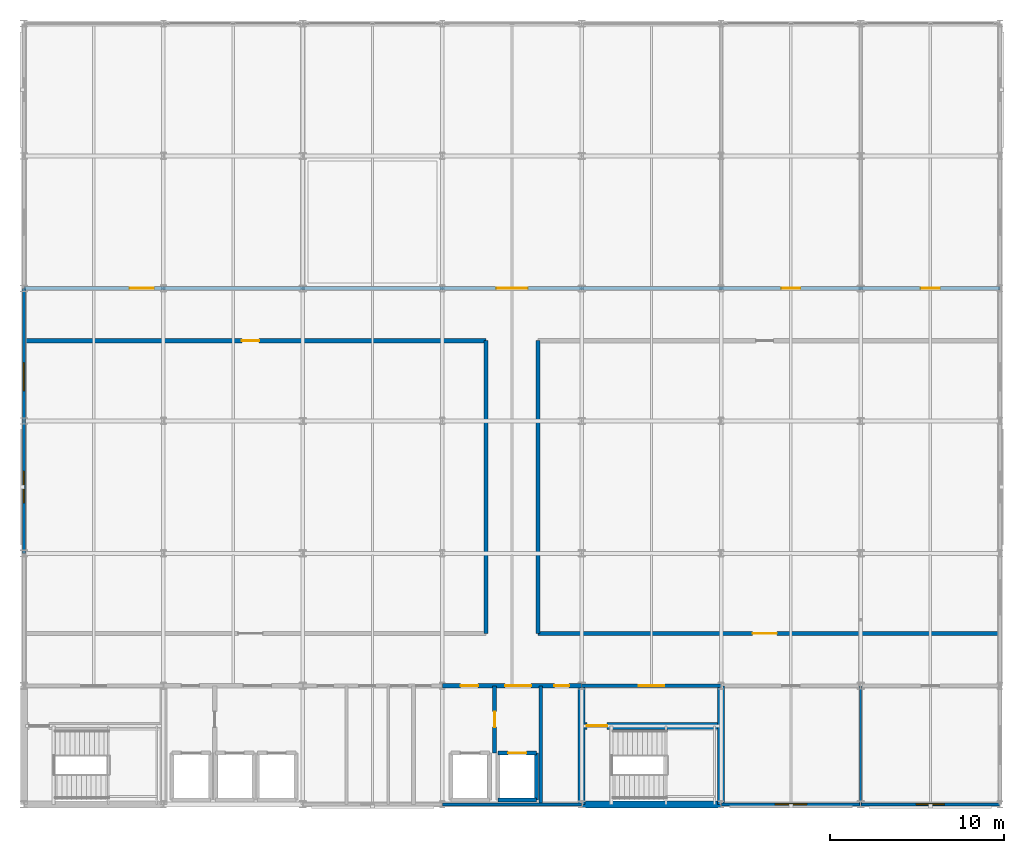
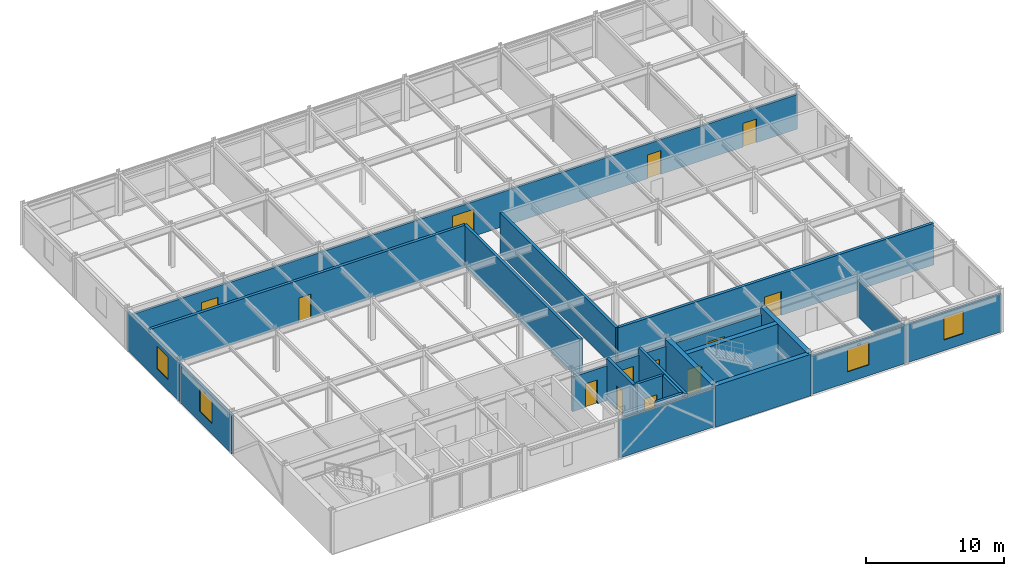
# One storey, part 12 of 14: 22 walls, 13 doors, 4 windows, 17 openings.
"""IFC4 building model written with IfcOpenShell, lengths in metres."""

from ifc_helpers import new_model, si_unit, direction, frame, frame_2d, origin, place, context, subcontext, project, spatial, rectangle, extrude, material, layer, layer_set, type_object, element, fill, save


model = new_model("IFC4")

# Units and contexts
model_context = context("Model", 3, precision=1e-05, world=origin(), true_north=direction((0.0, 1.0)))
body_context = subcontext(model_context, "Body", "Model", "MODEL_VIEW")
ifc_project = project(units=[si_unit("LENGTHUNIT", "METRE"), si_unit("AREAUNIT", "SQUARE_METRE"), si_unit("VOLUMEUNIT", "CUBIC_METRE"), si_unit("PLANEANGLEUNIT", "RADIAN"), si_unit("MASSUNIT", "GRAM", prefix="KILO")], contexts=[model_context])

# Site, building, storey
site_placement = place(None, origin())
site = spatial("IfcSite", under=ifc_project, at=site_placement, CompositionType="ELEMENT")
building_placement = place(site_placement, origin())
building = spatial("IfcBuilding", under=site, at=building_placement, Name="Shalkamar Park Central Library", CompositionType="ELEMENT")
storey_placement = place(building_placement, frame((0.0, 0.0, 32.10009765625)))
storey = spatial("IfcBuildingStorey", under=building, at=storey_placement, Name="L08", CompositionType="ELEMENT", Elevation=32.10009765625)

# Wall, opening, door
ifc_material_1 = material(Name="Reinforced fire-compartment masonry wall", Category="masonry")
ifc_layer_1 = layer(ifc_material_1, 0.239990234375)
ifc_layer_set_1 = layer_set([ifc_layer_1], Name="CompartmentWall_240")
wall_type_1 = type_object("IfcWallType", Name="Compartment Wall 240", PredefinedType="PARTITIONING", material=ifc_layer_set_1)
wall_1_placement = place(storey_placement, frame((192.0, 251.35009765625, 0.0), z_axis=(0.0, 0.0, 1.0), x_axis=(0.0, 1.0, 0.0)))
wall_1 = element("IfcWall", 1, at=wall_1_placement, inside=storey, type_object=wall_type_1, Name="Interior Partition WL-INT-L08-002", PredefinedType="PARTITIONING", context=body_context, shape_type="SweptSolid", body=[
    extrude(rectangle(XDim=3.849853515625, YDim=0.239990234375, at=frame_2d((1.9248046875, 0.0))), origin(), (0.0, 0.0, 1.0), 3.679931640625),
])
opening_1_placement = place(wall_1_placement, frame((1.47509765625, 0.0, 0.0)))
opening_1 = element("IfcOpeningElement", 2, at=opening_1_placement, cuts=wall_1, Name="Opening DR-L08-002", PredefinedType="OPENING", context=body_context, shape_type="SweptSolid", body=[
    extrude(rectangle(XDim=0.89990234375, YDim=2.10009765625, at=frame_2d((0.449951171875, 1.050048828125))), frame((0.0, 0.134765625, 0.0), z_axis=(0.0, -1.0, 0.0), x_axis=(1.0, 0.0, 0.0)), (0.0, 0.0, 1.0), 0.269775390625),
])
ifc_material_2 = material(Name="Steel S355", Category="steel")
door_type_1 = type_object("IfcDoorType", Name="Fire Door Single 900x2100", OperationType="NOTDEFINED", PredefinedType="DOOR", material=ifc_material_2)
door_1_placement = place(opening_1_placement, origin())
door_1 = element("IfcDoor", 3, at=door_1_placement, inside=storey, type_object=door_type_1, Name="Fire Lobby Interconnect Door", OperationType="SINGLE_SWING_LEFT", OverallHeight=2.10009765625, OverallWidth=0.89990234375, PredefinedType="DOOR", context=body_context, shape_type="SweptSolid", body=[
    extrude(rectangle(XDim=0.89990234375, YDim=2.10009765625, at=frame_2d((0.449951171875, 1.050048828125))), frame((0.0, 0.02490234375, 0.0), z_axis=(0.0, -1.0, 0.0), x_axis=(1.0, 0.0, 0.0)), (0.0, 0.0, 1.0), 0.050048828125),
])
fill(opening_1, door_1)

# Wall, openings, doors
wall_2_placement = place(storey_placement, frame((189.0, 255.199951171875, 0.0), z_axis=(0.0, 0.0, 1.0), x_axis=(1.0, 0.0, 0.0)))
wall_2 = element("IfcWall", 4, at=wall_2_placement, inside=storey, type_object=wall_type_1, Name="Interior Partition WL-INT-L08-009", PredefinedType="PARTITIONING", context=body_context, shape_type="SweptSolid", body=[
    extrude(rectangle(XDim=8.0, YDim=0.239990234375, at=frame_2d((4.0, 0.0))), origin(), (0.0, 0.0, 1.0), 3.077880859375),
])
opening_2_placement = place(wall_2_placement, frame((1.050048828125, 0.0, 0.0)))
opening_2 = element("IfcOpeningElement", 5, at=opening_2_placement, cuts=wall_2, Name="Opening DR-L08-009", PredefinedType="OPENING", context=body_context, shape_type="SweptSolid", body=[
    extrude(rectangle(XDim=1.0, YDim=2.10009765625, at=frame_2d((0.5, 1.050048828125))), frame((0.0, 0.134765625, 0.0), z_axis=(0.0, -1.0, 0.0), x_axis=(1.0, 0.0, 0.0)), (0.0, 0.0, 1.0), 0.269775390625),
])
opening_3_placement = place(wall_2_placement, frame((3.60009765625, 0.0, 0.0)))
opening_3 = element("IfcOpeningElement", 6, at=opening_3_placement, cuts=wall_2, Name="Opening DR-L08-010", PredefinedType="OPENING", context=body_context, shape_type="SweptSolid", body=[
    extrude(rectangle(XDim=1.5, YDim=2.25, at=frame_2d((0.75, 1.125))), frame((0.0, 0.134765625, 0.0), z_axis=(0.0, -1.0, 0.0), x_axis=(1.0, 0.0, 0.0)), (0.0, 0.0, 1.0), 0.269775390625),
])
opening_4_placement = place(wall_2_placement, frame((6.425048828125, 0.0, 0.0)))
opening_4 = element("IfcOpeningElement", 7, at=opening_4_placement, cuts=wall_2, Name="Opening DR-L08-011", PredefinedType="OPENING", context=body_context, shape_type="SweptSolid", body=[
    extrude(rectangle(XDim=0.85009765625, YDim=2.10009765625, at=frame_2d((0.425048828125, 1.050048828125))), frame((0.0, 0.134765625, 0.0), z_axis=(0.0, -1.0, 0.0), x_axis=(1.0, 0.0, 0.0)), (0.0, 0.0, 1.0), 0.269775390625),
])
door_type_2 = type_object("IfcDoorType", Name="Fire Door Riser 850x2100", OperationType="NOTDEFINED", PredefinedType="DOOR", material=ifc_material_2)
door_2_placement = place(opening_4_placement, frame((0.85009765625, 0.0, 0.0), z_axis=(0.0, 0.0, 1.0), x_axis=(-1.0, 0.0, 0.0)))
door_2 = element("IfcDoor", 8, at=door_2_placement, inside=storey, type_object=door_type_2, Name="Mechanical Riser Access Door", OperationType="SINGLE_SWING_LEFT", OverallHeight=2.10009765625, OverallWidth=0.85009765625, PredefinedType="DOOR", context=body_context, shape_type="SweptSolid", body=[
    extrude(rectangle(XDim=0.85009765625, YDim=2.10009765625, at=frame_2d((0.425048828125, 1.050048828125))), frame((0.0, 0.02490234375, 0.0), z_axis=(0.0, -1.0, 0.0), x_axis=(1.0, 0.0, 0.0)), (0.0, 0.0, 1.0), 0.050048828125),
])
fill(opening_4, door_2)
door_type_3 = type_object("IfcDoorType", Name="Fire Door Single 1000x2100", OperationType="NOTDEFINED", PredefinedType="DOOR", material=ifc_material_2)
door_3_placement = place(opening_2_placement, frame((1.0, 0.0, 0.0), z_axis=(0.0, 0.0, 1.0), x_axis=(-1.0, 0.0, 0.0)))
door_3 = element("IfcDoor", 9, at=door_3_placement, inside=storey, type_object=door_type_3, Name="East Firefighting Lobby Door", OperationType="SINGLE_SWING_RIGHT", OverallHeight=2.10009765625, OverallWidth=1.0, PredefinedType="DOOR", context=body_context, shape_type="SweptSolid", body=[
    extrude(rectangle(XDim=1.0, YDim=2.10009765625, at=frame_2d((0.5, 1.050048828125))), frame((0.0, 0.02490234375, 0.0), z_axis=(0.0, -1.0, 0.0), x_axis=(1.0, 0.0, 0.0)), (0.0, 0.0, 1.0), 0.050048828125),
])
fill(opening_2, door_3)
door_type_4 = type_object("IfcDoorType", Name="Interior Door Double 1500x2250", OperationType="DOUBLE_DOOR_SINGLE_SWING", PredefinedType="DOOR", material=ifc_material_2)
door_4_placement = place(opening_3_placement, frame((1.5, 0.0, 0.0), z_axis=(0.0, 0.0, 1.0), x_axis=(-1.0, 0.0, 0.0)))
door_4 = element("IfcDoor", 10, at=door_4_placement, inside=storey, type_object=door_type_4, Name="East Lift Lobby Entrance", OperationType="DOUBLE_DOOR_SINGLE_SWING", OverallHeight=2.25, OverallWidth=1.5, PredefinedType="DOOR", context=body_context, shape_type="SweptSolid", body=[
    extrude(rectangle(XDim=1.5, YDim=2.25, at=frame_2d((0.75, 1.125))), frame((0.0, 0.02490234375, 0.0), z_axis=(0.0, -1.0, 0.0), x_axis=(1.0, 0.0, 0.0)), (0.0, 0.0, 1.0), 0.050048828125),
])
fill(opening_3, door_4)

# Wall, opening, door
wall_3_placement = place(storey_placement, frame((194.5, 258.199951171875, 0.0), z_axis=(0.0, 0.0, 1.0), x_axis=(1.0, 0.0, 0.0)))
wall_3 = element("IfcWall", 11, at=wall_3_placement, inside=storey, type_object=wall_type_1, Name="Interior Partition WL-INT-L08-013", PredefinedType="PARTITIONING", context=body_context, shape_type="SweptSolid", body=[
    extrude(rectangle(XDim=26.5, YDim=0.239990234375, at=frame_2d((13.25, 0.0))), origin(), (0.0, 0.0, 1.0), 3.679931640625),
])
opening_5_placement = place(wall_3_placement, frame((12.300048828125, 0.0, 0.0)))
opening_5 = element("IfcOpeningElement", 12, at=opening_5_placement, cuts=wall_3, Name="Opening DR-L08-015", PredefinedType="OPENING", context=body_context, shape_type="SweptSolid", body=[
    extrude(rectangle(XDim=1.39990234375, YDim=2.10009765625, at=frame_2d((0.699951171875, 1.050048828125))), frame((0.0, 0.134765625, 0.0), z_axis=(0.0, -1.0, 0.0), x_axis=(1.0, 0.0, 0.0)), (0.0, 0.0, 1.0), 0.269775390625),
])
door_type_5 = type_object("IfcDoorType", Name="Fire Door Double 1400x2100", OperationType="DOUBLE_DOOR_SINGLE_SWING", PredefinedType="DOOR", material=ifc_material_2)
door_5_placement = place(opening_5_placement, origin())
door_5 = element("IfcDoor", 13, at=door_5_placement, inside=storey, type_object=door_type_5, Name="L08 SE Closed Stacks South Door", OperationType="DOUBLE_DOOR_SINGLE_SWING", OverallHeight=2.10009765625, OverallWidth=1.39990234375, PredefinedType="DOOR", context=body_context, shape_type="SweptSolid", body=[
    extrude(rectangle(XDim=1.39990234375, YDim=2.10009765625, at=frame_2d((0.699951171875, 1.050048828125))), frame((0.0, 0.02490234375, 0.0), z_axis=(0.0, -1.0, 0.0), x_axis=(1.0, 0.0, 0.0)), (0.0, 0.0, 1.0), 0.050048828125),
])
fill(opening_5, door_5)

# Walls
for number, where, z_axis, x_axis, name in (
    (14, (191.5, 258.199951171875, 0.0), (0.0, 0.0, 1.0), (0.0, 1.0, 0.0), "Interior Partition WL-INT-L08-014"),
    (15, (194.5, 258.199951171875, 0.0), (0.0, 0.0, 1.0), (0.0, 1.0, 0.0), "Interior Partition WL-INT-L08-015"),
):
    element("IfcWall", number, at=place(storey_placement, frame(where, z_axis=z_axis, x_axis=x_axis)), inside=storey, type_object=wall_type_1, Name=name, PredefinedType="PARTITIONING", context=body_context, shape_type="SweptSolid", body=[
        extrude(rectangle(XDim=16.800048828125, YDim=0.239990234375, at=frame_2d((8.39990234375, 0.0))), origin(), (0.0, 0.0, 1.0), 3.679931640625),
    ])

# Wall, opening, door
wall_4_placement = place(storey_placement, frame((165.0, 275.0, 0.0), z_axis=(0.0, 0.0, 1.0), x_axis=(1.0, 0.0, 0.0)))
wall_4 = element("IfcWall", 16, at=wall_4_placement, inside=storey, type_object=wall_type_1, Name="Interior Partition WL-INT-L08-016", PredefinedType="PARTITIONING", context=body_context, shape_type="SweptSolid", body=[
    extrude(rectangle(XDim=26.5, YDim=0.239990234375, at=frame_2d((13.25, 0.0))), origin(), (0.0, 0.0, 1.0), 3.679931640625),
])
opening_6_placement = place(wall_4_placement, frame((12.5, 0.0, 0.0)))
opening_6 = element("IfcOpeningElement", 17, at=opening_6_placement, cuts=wall_4, Name="Opening DR-L08-016", PredefinedType="OPENING", context=body_context, shape_type="SweptSolid", body=[
    extrude(rectangle(XDim=1.0, YDim=2.10009765625, at=frame_2d((0.5, 1.050048828125))), frame((0.0, 0.134765625, 0.0), z_axis=(0.0, -1.0, 0.0), x_axis=(1.0, 0.0, 0.0)), (0.0, 0.0, 1.0), 0.269775390625),
])
door_6_placement = place(opening_6_placement, frame((1.0, 0.0, 0.0), z_axis=(0.0, 0.0, 1.0), x_axis=(-1.0, 0.0, 0.0)))
door_6 = element("IfcDoor", 18, at=door_6_placement, inside=storey, type_object=door_type_3, Name="L08 SW Closed Stacks North Door", OperationType="SINGLE_SWING_RIGHT", OverallHeight=2.10009765625, OverallWidth=1.0, PredefinedType="DOOR", context=body_context, shape_type="SweptSolid", body=[
    extrude(rectangle(XDim=1.0, YDim=2.10009765625, at=frame_2d((0.5, 1.050048828125))), frame((0.0, 0.02490234375, 0.0), z_axis=(0.0, -1.0, 0.0), x_axis=(1.0, 0.0, 0.0)), (0.0, 0.0, 1.0), 0.050048828125),
])
fill(opening_6, door_6)

ifc_material_3 = material(Name="Fire-rated corridor partition wall", Category="masonry")
ifc_layer_2 = layer(ifc_material_3, 0.199951171875)
ifc_layer_set_2 = layer_set([ifc_layer_2], Name="CorridorFireWall_200")
wall_type_2 = type_object("IfcWallType", Name="Corridor Fire Wall 200", PredefinedType="PARTITIONING", material=ifc_layer_set_2)
wall_5_placement = place(storey_placement, frame((197.0, 255.199951171875, 0.0), z_axis=(0.0, 0.0, 1.0), x_axis=(1.0, 0.0, 0.0)))
wall_5 = element("IfcWall", 19, at=wall_5_placement, inside=storey, type_object=wall_type_2, Name="CORE-T2 Vestibule North Wall (L08)", PredefinedType="PARTITIONING", context=body_context, shape_type="SweptSolid", body=[
    extrude(rectangle(XDim=8.0, YDim=0.199951171875, at=frame_2d((4.0, 0.0))), origin(), (0.0, 0.0, 1.0), 3.077880859375),
])
opening_7_placement = place(wall_5_placement, frame((3.27490234375, 0.0, 0.0)))
opening_7 = element("IfcOpeningElement", 20, at=opening_7_placement, cuts=wall_5, Name="Opening DR-ST-T2-L08-VEST", PredefinedType="OPENING", context=body_context, shape_type="SweptSolid", body=[
    extrude(rectangle(XDim=1.449951171875, YDim=2.199951171875, at=frame_2d((0.72509765625, 1.10009765625))), frame((0.0, 0.11474609375, 0.0), z_axis=(0.0, -1.0, 0.0), x_axis=(1.0, 0.0, 0.0)), (0.0, 0.0, 1.0), 0.229736328125),
])
door_type_6 = type_object("IfcDoorType", Name="Stair Vestibule Door 1450x2200", OperationType="DOUBLE_DOOR_SINGLE_SWING", PredefinedType="DOOR", material=ifc_material_2)
door_7_placement = place(opening_7_placement, frame((1.449951171875, 0.0, 0.0), z_axis=(0.0, 0.0, 1.0), x_axis=(-1.0, 0.0, 0.0)))
door_7 = element("IfcDoor", 21, at=door_7_placement, inside=storey, type_object=door_type_6, Name="Protected Stair ST-T2 Vestibule Door (L08)", OperationType="DOUBLE_DOOR_SINGLE_SWING", OverallHeight=2.199951171875, OverallWidth=1.449951171875, PredefinedType="DOOR", context=body_context, shape_type="SweptSolid", body=[
    extrude(rectangle(XDim=1.449951171875, YDim=2.199951171875, at=frame_2d((0.72509765625, 1.10009765625))), frame((0.0, 0.02490234375, 0.0), z_axis=(0.0, -1.0, 0.0), x_axis=(1.0, 0.0, 0.0)), (0.0, 0.0, 1.0), 0.050048828125),
])
fill(opening_7, door_7)

# Wall, openings, doors
wall_6_placement = place(storey_placement, frame((165.0, 278.0, 0.0), z_axis=(0.0, 0.0, 1.0), x_axis=(1.0, 0.0, 0.0)))
wall_6 = element("IfcWall", 22, at=wall_6_placement, inside=storey, type_object=wall_type_2, Name="Interior Partition WL-INT-L08-018", PredefinedType="PARTITIONING", context=body_context, shape_type="SweptSolid", body=[
    extrude(rectangle(XDim=56.0, YDim=0.199951171875, at=frame_2d((28.0, 0.0))), origin(), (0.0, 0.0, 1.0), 3.077880859375),
])
opening_8_placement = place(wall_6_placement, frame((6.06005859375, 0.0, 0.0)))
opening_8 = element("IfcOpeningElement", 23, at=opening_8_placement, cuts=wall_6, Name="Opening DR-L08-018", PredefinedType="OPENING", context=body_context, shape_type="SweptSolid", body=[
    extrude(rectangle(XDim=1.39990234375, YDim=2.10009765625, at=frame_2d((0.699951171875, 1.050048828125))), frame((0.0, 0.11474609375, 0.0), z_axis=(0.0, -1.0, 0.0), x_axis=(1.0, 0.0, 0.0)), (0.0, 0.0, 1.0), 0.229736328125),
])
opening_9_placement = place(wall_6_placement, frame((27.10009765625, 0.0, 0.0)))
opening_9 = element("IfcOpeningElement", 24, at=opening_9_placement, cuts=wall_6, Name="Opening DR-L08-019", PredefinedType="OPENING", context=body_context, shape_type="SweptSolid", body=[
    extrude(rectangle(XDim=1.800048828125, YDim=2.39990234375, at=frame_2d((0.89990234375, 1.199951171875))), frame((0.0, 0.11474609375, 0.0), z_axis=(0.0, -1.0, 0.0), x_axis=(1.0, 0.0, 0.0)), (0.0, 0.0, 1.0), 0.229736328125),
])
opening_10_placement = place(wall_6_placement, frame((43.449951171875, 0.0, 0.0)))
opening_10 = element("IfcOpeningElement", 25, at=opening_10_placement, cuts=wall_6, Name="Opening DR-L08-020", PredefinedType="OPENING", context=body_context, shape_type="SweptSolid", body=[
    extrude(rectangle(XDim=1.10009765625, YDim=2.10009765625, at=frame_2d((0.550048828125, 1.050048828125))), frame((0.0, 0.11474609375, 0.0), z_axis=(0.0, -1.0, 0.0), x_axis=(1.0, 0.0, 0.0)), (0.0, 0.0, 1.0), 0.229736328125),
])
opening_11_placement = place(wall_6_placement, frame((51.449951171875, 0.0, 0.0)))
opening_11 = element("IfcOpeningElement", 26, at=opening_11_placement, cuts=wall_6, Name="Opening DR-L08-021", PredefinedType="OPENING", context=body_context, shape_type="SweptSolid", body=[
    extrude(rectangle(XDim=1.10009765625, YDim=2.10009765625, at=frame_2d((0.550048828125, 1.050048828125))), frame((0.0, 0.11474609375, 0.0), z_axis=(0.0, -1.0, 0.0), x_axis=(1.0, 0.0, 0.0)), (0.0, 0.0, 1.0), 0.229736328125),
])
door_8_placement = place(opening_8_placement, origin())
door_8 = element("IfcDoor", 27, at=door_8_placement, inside=storey, type_object=door_type_5, Name="L08 NW Closed Stacks Door", OperationType="DOUBLE_DOOR_SINGLE_SWING", OverallHeight=2.10009765625, OverallWidth=1.39990234375, PredefinedType="DOOR", context=body_context, shape_type="SweptSolid", body=[
    extrude(rectangle(XDim=1.39990234375, YDim=2.10009765625, at=frame_2d((0.699951171875, 1.050048828125))), frame((0.0, 0.02490234375, 0.0), z_axis=(0.0, -1.0, 0.0), x_axis=(1.0, 0.0, 0.0)), (0.0, 0.0, 1.0), 0.050048828125),
])
fill(opening_8, door_8)
door_type_7 = type_object("IfcDoorType", Name="Interior Door Double 1800x2400", OperationType="DOUBLE_DOOR_SINGLE_SWING", PredefinedType="DOOR", material=ifc_material_2)
door_9_placement = place(opening_9_placement, origin())
door_9 = element("IfcDoor", 28, at=door_9_placement, inside=storey, type_object=door_type_7, Name="L08 Researcher Reading Room Door", OperationType="DOUBLE_DOOR_SINGLE_SWING", OverallHeight=2.39990234375, OverallWidth=1.800048828125, PredefinedType="DOOR", context=body_context, shape_type="SweptSolid", body=[
    extrude(rectangle(XDim=1.800048828125, YDim=2.39990234375, at=frame_2d((0.89990234375, 1.199951171875))), frame((0.0, 0.02490234375, 0.0), z_axis=(0.0, -1.0, 0.0), x_axis=(1.0, 0.0, 0.0)), (0.0, 0.0, 1.0), 0.050048828125),
])
fill(opening_9, door_9)
door_type_8 = type_object("IfcDoorType", Name="Interior Door Single 1100x2100", OperationType="NOTDEFINED", PredefinedType="DOOR", material=ifc_material_2)
door_10_placement = place(opening_10_placement, origin())
door_10 = element("IfcDoor", 29, at=door_10_placement, inside=storey, type_object=door_type_8, Name="L08 Seminar Suite A Door", OperationType="SINGLE_SWING_RIGHT", OverallHeight=2.10009765625, OverallWidth=1.10009765625, PredefinedType="DOOR", context=body_context, shape_type="SweptSolid", body=[
    extrude(rectangle(XDim=1.10009765625, YDim=2.10009765625, at=frame_2d((0.550048828125, 1.050048828125))), frame((0.0, 0.02490234375, 0.0), z_axis=(0.0, -1.0, 0.0), x_axis=(1.0, 0.0, 0.0)), (0.0, 0.0, 1.0), 0.050048828125),
])
fill(opening_10, door_10)
door_11_placement = place(opening_11_placement, origin())
door_11 = element("IfcDoor", 30, at=door_11_placement, inside=storey, type_object=door_type_8, Name="L08 Seminar Suite B Door", OperationType="SINGLE_SWING_RIGHT", OverallHeight=2.10009765625, OverallWidth=1.10009765625, PredefinedType="DOOR", context=body_context, shape_type="SweptSolid", body=[
    extrude(rectangle(XDim=1.10009765625, YDim=2.10009765625, at=frame_2d((0.550048828125, 1.050048828125))), frame((0.0, 0.02490234375, 0.0), z_axis=(0.0, -1.0, 0.0), x_axis=(1.0, 0.0, 0.0)), (0.0, 0.0, 1.0), 0.050048828125),
])
fill(opening_11, door_11)

# Walls
ifc_material_4 = material(Name="Concrete C40/50", Category="concrete")
ifc_layer_3 = layer(ifc_material_4, 0.219970703125)
ifc_layer_set_3 = layer_set([ifc_layer_3], Name="Concrete C40/50")
wall_type_3 = type_object("IfcWallType", Name="Lift Hoistway Shear Wall 220", PredefinedType="SHEAR", material=ifc_layer_set_3)
wall_7_placement = place(storey_placement, frame((192.199951171875, 248.64990234375, 0.0), z_axis=(0.0, 0.0, 1.0), x_axis=(1.0, 0.0, 0.0)))
element("IfcWall", 31, at=wall_7_placement, inside=storey, type_object=wall_type_3, Name="Lift LT-03 Hoistway South Wall (L08)", PredefinedType="SHEAR", context=body_context, shape_type="SweptSolid", body=[
    extrude(rectangle(XDim=2.199951171875, YDim=0.219970703125, at=frame_2d((1.10009765625, 0.0))), origin(), (0.0, 0.0, 1.0), 3.679931640625),
])
wall_8_placement = place(storey_placement, frame((194.39990234375, 248.64990234375, 0.0), z_axis=(0.0, 0.0, 1.0), x_axis=(0.0, 1.0, 0.0)))
element("IfcWall", 32, at=wall_8_placement, inside=storey, type_object=wall_type_3, Name="Lift LT-03 Hoistway East Wall (L08)", PredefinedType="SHEAR", context=body_context, shape_type="SweptSolid", body=[
    extrude(rectangle(XDim=2.7001953125, YDim=0.219970703125, at=frame_2d((1.35009765625, 0.0))), origin(), (0.0, 0.0, 1.0), 3.679931640625),
])

# Wall, opening, door
wall_9_placement = place(storey_placement, frame((192.199951171875, 251.35009765625, 0.0), z_axis=(0.0, 0.0, 1.0), x_axis=(1.0, 0.0, 0.0)))
wall_9 = element("IfcWall", 33, at=wall_9_placement, inside=storey, type_object=wall_type_3, Name="Lift LT-03 Hoistway Front Wall (L08)", PredefinedType="SHEAR", context=body_context, shape_type="SweptSolid", body=[
    extrude(rectangle(XDim=2.199951171875, YDim=0.219970703125, at=frame_2d((1.10009765625, 0.0))), origin(), (0.0, 0.0, 1.0), 3.679931640625),
])
opening_12_placement = place(wall_9_placement, frame((0.574951171875, 0.0, 0.0)))
opening_12 = element("IfcOpeningElement", 34, at=opening_12_placement, cuts=wall_9, Name="Opening LD-LT-03-L08", PredefinedType="OPENING", context=body_context, shape_type="SweptSolid", body=[
    extrude(rectangle(XDim=1.050048828125, YDim=2.14990234375, at=frame_2d((0.52490234375, 1.074951171875))), frame((0.0, 0.125, 0.0), z_axis=(0.0, -1.0, 0.0), x_axis=(1.0, 0.0, 0.0)), (0.0, 0.0, 1.0), 0.249755859375),
])
door_type_9 = type_object("IfcDoorType", Name="Passenger Lift Landing Door 1050x2150", OperationType="DOUBLE_DOOR_SLIDING", PredefinedType="USERDEFINED", material=ifc_material_2)
door_12_placement = place(opening_12_placement, origin())
door_12 = element("IfcDoor", 35, at=door_12_placement, inside=storey, type_object=door_type_9, Name="Lift LT-03 Sliding Landing Door (L08)", ObjectType="SLIDING LANDING DOOR", OperationType="DOUBLE_DOOR_SLIDING", OverallHeight=2.14990234375, OverallWidth=1.050048828125, PredefinedType="USERDEFINED", context=body_context, shape_type="SweptSolid", body=[
    extrude(rectangle(XDim=1.050048828125, YDim=2.14990234375, at=frame_2d((0.52490234375, 1.074951171875))), frame((0.0, 0.02490234375, 0.0), z_axis=(0.0, -1.0, 0.0), x_axis=(1.0, 0.0, 0.0)), (0.0, 0.0, 1.0), 0.050048828125),
])
fill(opening_12, door_12)

# Walls
ifc_material_5 = material(Name="Fire-rated shaft enclosure wall", Category="masonry")
ifc_layer_4 = layer(ifc_material_5, 0.219970703125)
ifc_layer_set_4 = layer_set([ifc_layer_4], Name="ShaftWall_220")
wall_type_4 = type_object("IfcWallType", Name="Shaft Wall 220", PredefinedType="PARTITIONING", material=ifc_layer_set_4)
wall_10_placement = place(storey_placement, frame((194.64990234375, 248.39990234375, 0.0), z_axis=(0.0, 0.0, 1.0), x_axis=(0.0, 1.0, 0.0)))
element("IfcWall", 36, at=wall_10_placement, inside=storey, type_object=wall_type_4, Name="Interior Partition WL-INT-L08-003", PredefinedType="PARTITIONING", context=body_context, shape_type="SweptSolid", body=[
    extrude(rectangle(XDim=6.800048828125, YDim=0.219970703125, at=frame_2d((3.39990234375, 0.0))), origin(), (0.0, 0.0, 1.0), 3.679931640625),
])
ifc_material_6 = material(Name="Lightweight acoustic stud partition", Category="masonry")
ifc_layer_5 = layer(ifc_material_6, 0.1201171875)
ifc_layer_set_5 = layer_set([ifc_layer_5], Name="StandardPartition_120")
wall_type_5 = type_object("IfcWallType", Name="Standard Partition 120", PredefinedType="PARTITIONING", material=ifc_layer_set_5)
wall_11_placement = place(storey_placement, frame((213.0, 248.39990234375, 0.0), z_axis=(0.0, 0.0, 1.0), x_axis=(0.0, 1.0, 0.0)))
element("IfcWall", 37, at=wall_11_placement, inside=storey, type_object=wall_type_5, Name="Interior Partition WL-INT-L08-011", PredefinedType="PARTITIONING", context=body_context, shape_type="SweptSolid", body=[
    extrude(rectangle(XDim=6.800048828125, YDim=0.1201171875, at=frame_2d((3.39990234375, 0.0))), origin(), (0.0, 0.0, 1.0), 3.227783203125),
])
ifc_layer_6 = layer(ifc_material_4, 0.39990234375)
ifc_layer_set_6 = layer_set([ifc_layer_6], Name="Concrete C40/50")
wall_type_6 = type_object("IfcWallType", Name="Tower Core Shear Wall 400", PredefinedType="SHEAR", material=ifc_layer_set_6)
wall_12_placement = place(storey_placement, frame((197.0, 248.39990234375, 0.0), z_axis=(0.0, 0.0, 1.0), x_axis=(1.0, 0.0, 0.0)))
element("IfcWall", 38, at=wall_12_placement, inside=storey, type_object=wall_type_6, Name="CORE-T2 South Shear Wall (L08)", PredefinedType="SHEAR", context=body_context, shape_type="SweptSolid", body=[
    extrude(rectangle(XDim=8.0, YDim=0.39990234375, at=frame_2d((4.0, 0.0))), origin(), (0.0, 0.0, 1.0), 3.679931640625),
])
for number, where, z_axis, x_axis, name in (
    (39, (197.0, 248.39990234375, 0.0), (0.0, 0.0, 1.0), (0.0, 1.0, 0.0), "CORE-T2 West Shear Wall (L08)"),
    (40, (205.0, 248.39990234375, 0.0), (0.0, 0.0, 1.0), (0.0, 1.0, 0.0), "CORE-T2 East Shear Wall (L08)"),
):
    element("IfcWall", number, at=place(storey_placement, frame(where, z_axis=z_axis, x_axis=x_axis)), inside=storey, type_object=wall_type_6, Name=name, PredefinedType="SHEAR", context=body_context, shape_type="SweptSolid", body=[
        extrude(rectangle(XDim=6.800048828125, YDim=0.39990234375, at=frame_2d((3.39990234375, 0.0))), origin(), (0.0, 0.0, 1.0), 3.679931640625),
    ])

# Wall, opening, door
wall_13_placement = place(storey_placement, frame((197.0, 252.89990234375, 0.0), z_axis=(0.0, 0.0, 1.0), x_axis=(1.0, 0.0, 0.0)))
wall_13 = element("IfcWall", 41, at=wall_13_placement, inside=storey, type_object=wall_type_6, Name="CORE-T2 Stairwell Wall (L08)", PredefinedType="SHEAR", context=body_context, shape_type="SweptSolid", body=[
    extrude(rectangle(XDim=8.0, YDim=0.39990234375, at=frame_2d((4.0, 0.0))), origin(), (0.0, 0.0, 1.0), 3.679931640625),
])
opening_13_placement = place(wall_13_placement, frame((0.300048828125, 0.0, 0.0)))
opening_13 = element("IfcOpeningElement", 42, at=opening_13_placement, cuts=wall_13, Name="Opening DR-ST-T2-L08-IN", PredefinedType="OPENING", context=body_context, shape_type="SweptSolid", body=[
    extrude(rectangle(XDim=1.14990234375, YDim=2.14990234375, at=frame_2d((0.574951171875, 1.074951171875))), frame((0.0, 0.21484375, 0.0), z_axis=(0.0, -1.0, 0.0), x_axis=(1.0, 0.0, 0.0)), (0.0, 0.0, 1.0), 0.4296875),
])
door_type_10 = type_object("IfcDoorType", Name="Stair Core Exit Door 1150x2150", OperationType="NOTDEFINED", PredefinedType="DOOR", material=ifc_material_2)
door_13_placement = place(opening_13_placement, frame((1.14990234375, 0.0, 0.0), z_axis=(0.0, 0.0, 1.0), x_axis=(-1.0, 0.0, 0.0)))
door_13 = element("IfcDoor", 43, at=door_13_placement, inside=storey, type_object=door_type_10, Name="Protected Stair ST-T2 Exit Door (L08)", OperationType="SINGLE_SWING_RIGHT", OverallHeight=2.14990234375, OverallWidth=1.14990234375, PredefinedType="DOOR", context=body_context, shape_type="SweptSolid", body=[
    extrude(rectangle(XDim=1.14990234375, YDim=2.14990234375, at=frame_2d((0.574951171875, 1.074951171875))), frame((0.0, 0.02490234375, 0.0), z_axis=(0.0, -1.0, 0.0), x_axis=(1.0, 0.0, 0.0)), (0.0, 0.0, 1.0), 0.050048828125),
])
fill(opening_13, door_13)

# Wall
ifc_material_7 = material(Name="Terracotta insulated wall panel", Category="masonry")
ifc_layer_7 = layer(ifc_material_7, 0.179931640625)
ifc_layer_set_7 = layer_set([ifc_layer_7], Name="TowerSpandrelWall_180")
wall_type_7 = type_object("IfcWallType", Name="Tower Spandrel Wall 180", PredefinedType="SOLIDWALL", material=ifc_layer_set_7)
wall_14_placement = place(storey_placement, frame((189.006103515625, 248.39990234375, 0.0), z_axis=(0.0, 0.0, 1.0), x_axis=(1.0, 0.0, 0.0)))
element("IfcWall", 44, at=wall_14_placement, inside=storey, type_object=wall_type_7, Name="Exterior Facade Wall WL-EXT-L08-172", PredefinedType="SOLIDWALL", context=body_context, shape_type="SweptSolid", body=[
    extrude(rectangle(XDim=7.98779296875, YDim=0.179931640625, at=frame_2d((3.993896484375, 0.0))), origin(), (0.0, 0.0, 1.0), 3.367919921875),
])

# Wall, opening, window
wall_15_placement = place(storey_placement, frame((205.006103515625, 248.39990234375, 0.0), z_axis=(0.0, 0.0, 1.0), x_axis=(1.0, 0.0, 0.0)))
wall_15 = element("IfcWall", 45, at=wall_15_placement, inside=storey, type_object=wall_type_7, Name="Exterior Facade Wall WL-EXT-L08-173", PredefinedType="SOLIDWALL", context=body_context, shape_type="SweptSolid", body=[
    extrude(rectangle(XDim=7.98779296875, YDim=0.179931640625, at=frame_2d((3.993896484375, 0.0))), origin(), (0.0, 0.0, 1.0), 3.367919921875),
])
opening_14_placement = place(wall_15_placement, frame((3.093994140625, 0.0, 0.949951171875)))
opening_14 = element("IfcOpeningElement", 46, at=opening_14_placement, cuts=wall_15, Name="Opening WN-12", PredefinedType="OPENING", context=body_context, shape_type="SweptSolid", body=[
    extrude(rectangle(XDim=1.800048828125, YDim=2.0, at=frame_2d((0.89990234375, 1.0))), frame((0.0, 0.10498046875, 0.0), z_axis=(0.0, -1.0, 0.0), x_axis=(1.0, 0.0, 0.0)), (0.0, 0.0, 1.0), 0.209716796875),
])
ifc_material_8 = material(Name="Thermally broken aluminium and triple low-e glass", Category="glass")
window_type_1 = type_object("IfcWindowType", Name="Tower Window 1800x2000", PartitioningType="DOUBLE_PANEL_VERTICAL", PredefinedType="WINDOW", material=ifc_material_8)
window_1_placement = place(opening_14_placement, origin())
window_1 = element("IfcWindow", 47, at=window_1_placement, inside=storey, type_object=window_type_1, Name="Facade Window WN-L08-121", OverallHeight=2.0, OverallWidth=1.800048828125, PartitioningType="DOUBLE_PANEL_VERTICAL", PredefinedType="WINDOW", context=body_context, shape_type="SweptSolid", body=[
    extrude(rectangle(XDim=1.800048828125, YDim=2.0, at=frame_2d((0.89990234375, 1.0))), frame((0.0, 0.030029296875, 0.0), z_axis=(0.0, -1.0, 0.0), x_axis=(1.0, 0.0, 0.0)), (0.0, 0.0, 1.0), 0.06005859375),
])
fill(opening_14, window_1)

wall_16_placement = place(storey_placement, frame((213.006103515625, 248.39990234375, 0.0), z_axis=(0.0, 0.0, 1.0), x_axis=(1.0, 0.0, 0.0)))
wall_16 = element("IfcWall", 48, at=wall_16_placement, inside=storey, type_object=wall_type_7, Name="Exterior Facade Wall WL-EXT-L08-174", PredefinedType="SOLIDWALL", context=body_context, shape_type="SweptSolid", body=[
    extrude(rectangle(XDim=7.98779296875, YDim=0.179931640625, at=frame_2d((3.993896484375, 0.0))), origin(), (0.0, 0.0, 1.0), 3.367919921875),
])
opening_15_placement = place(wall_16_placement, frame((3.194091796875, 0.0, 0.949951171875)))
opening_15 = element("IfcOpeningElement", 49, at=opening_15_placement, cuts=wall_16, Name="Opening WN-13", PredefinedType="OPENING", context=body_context, shape_type="SweptSolid", body=[
    extrude(rectangle(XDim=1.60009765625, YDim=2.0, at=frame_2d((0.800048828125, 1.0))), frame((0.0, 0.10498046875, 0.0), z_axis=(0.0, -1.0, 0.0), x_axis=(1.0, 0.0, 0.0)), (0.0, 0.0, 1.0), 0.209716796875),
])
window_type_2 = type_object("IfcWindowType", Name="Tower Window 1600x2000", PartitioningType="SINGLE_PANEL", PredefinedType="WINDOW", material=ifc_material_8)
window_2_placement = place(opening_15_placement, origin())
window_2 = element("IfcWindow", 50, at=window_2_placement, inside=storey, type_object=window_type_2, Name="Facade Window WN-L08-122", OverallHeight=2.0, OverallWidth=1.60009765625, PartitioningType="SINGLE_PANEL", PredefinedType="WINDOW", context=body_context, shape_type="SweptSolid", body=[
    extrude(rectangle(XDim=1.60009765625, YDim=2.0, at=frame_2d((0.800048828125, 1.0))), frame((0.0, 0.030029296875, 0.0), z_axis=(0.0, -1.0, 0.0), x_axis=(1.0, 0.0, 0.0)), (0.0, 0.0, 1.0), 0.06005859375),
])
fill(opening_15, window_2)

wall_17_placement = place(storey_placement, frame((165.0, 262.805908203125, 0.0), z_axis=(0.0, 0.0, 1.0), x_axis=(0.0, 1.0, 0.0)))
wall_17 = element("IfcWall", 51, at=wall_17_placement, inside=storey, type_object=wall_type_7, Name="Exterior Facade Wall WL-EXT-L08-176", PredefinedType="SOLIDWALL", context=body_context, shape_type="SweptSolid", body=[
    extrude(rectangle(XDim=7.588134765625, YDim=0.179931640625, at=frame_2d((3.7939453125, 0.0))), origin(), (0.0, 0.0, 1.0), 3.407958984375),
])
opening_16_placement = place(wall_17_placement, frame((2.89404296875, 0.0, 0.949951171875)))
opening_16 = element("IfcOpeningElement", 52, at=opening_16_placement, cuts=wall_17, Name="Opening WN-12", PredefinedType="OPENING", context=body_context, shape_type="SweptSolid", body=[
    extrude(rectangle(XDim=1.800048828125, YDim=2.0, at=frame_2d((0.89990234375, 1.0))), frame((0.0, 0.10498046875, 0.0), z_axis=(0.0, -1.0, 0.0), x_axis=(1.0, 0.0, 0.0)), (0.0, 0.0, 1.0), 0.209716796875),
])
window_3_placement = place(opening_16_placement, origin())
window_3 = element("IfcWindow", 53, at=window_3_placement, inside=storey, type_object=window_type_1, Name="Facade Window WN-L08-123", OverallHeight=2.0, OverallWidth=1.800048828125, PartitioningType="DOUBLE_PANEL_VERTICAL", PredefinedType="WINDOW", context=body_context, shape_type="SweptSolid", body=[
    extrude(rectangle(XDim=1.800048828125, YDim=2.0, at=frame_2d((0.89990234375, 1.0))), frame((0.0, 0.030029296875, 0.0), z_axis=(0.0, -1.0, 0.0), x_axis=(1.0, 0.0, 0.0)), (0.0, 0.0, 1.0), 0.06005859375),
])
fill(opening_16, window_3)

wall_18_placement = place(storey_placement, frame((165.0, 270.406005859375, 0.0), z_axis=(0.0, 0.0, 1.0), x_axis=(0.0, 1.0, 0.0)))
wall_18 = element("IfcWall", 54, at=wall_18_placement, inside=storey, type_object=wall_type_7, Name="Exterior Facade Wall WL-EXT-L08-177", PredefinedType="SOLIDWALL", context=body_context, shape_type="SweptSolid", body=[
    extrude(rectangle(XDim=7.587890625, YDim=0.179931640625, at=frame_2d((3.7939453125, 0.0))), origin(), (0.0, 0.0, 1.0), 3.407958984375),
])
opening_17_placement = place(wall_18_placement, frame((1.721923828125, 0.0, 0.949951171875)))
opening_17 = element("IfcOpeningElement", 55, at=opening_17_placement, cuts=wall_18, Name="Opening WN-13", PredefinedType="OPENING", context=body_context, shape_type="SweptSolid", body=[
    extrude(rectangle(XDim=1.60009765625, YDim=2.0, at=frame_2d((0.800048828125, 1.0))), frame((0.0, 0.10498046875, 0.0), z_axis=(0.0, -1.0, 0.0), x_axis=(1.0, 0.0, 0.0)), (0.0, 0.0, 1.0), 0.209716796875),
])
window_4_placement = place(opening_17_placement, origin())
window_4 = element("IfcWindow", 56, at=window_4_placement, inside=storey, type_object=window_type_2, Name="Facade Window WN-L08-124", OverallHeight=2.0, OverallWidth=1.60009765625, PartitioningType="SINGLE_PANEL", PredefinedType="WINDOW", context=body_context, shape_type="SweptSolid", body=[
    extrude(rectangle(XDim=1.60009765625, YDim=2.0, at=frame_2d((0.800048828125, 1.0))), frame((0.0, 0.030029296875, 0.0), z_axis=(0.0, -1.0, 0.0), x_axis=(1.0, 0.0, 0.0)), (0.0, 0.0, 1.0), 0.06005859375),
])
fill(opening_17, window_4)

save(model, "model.ifc")
